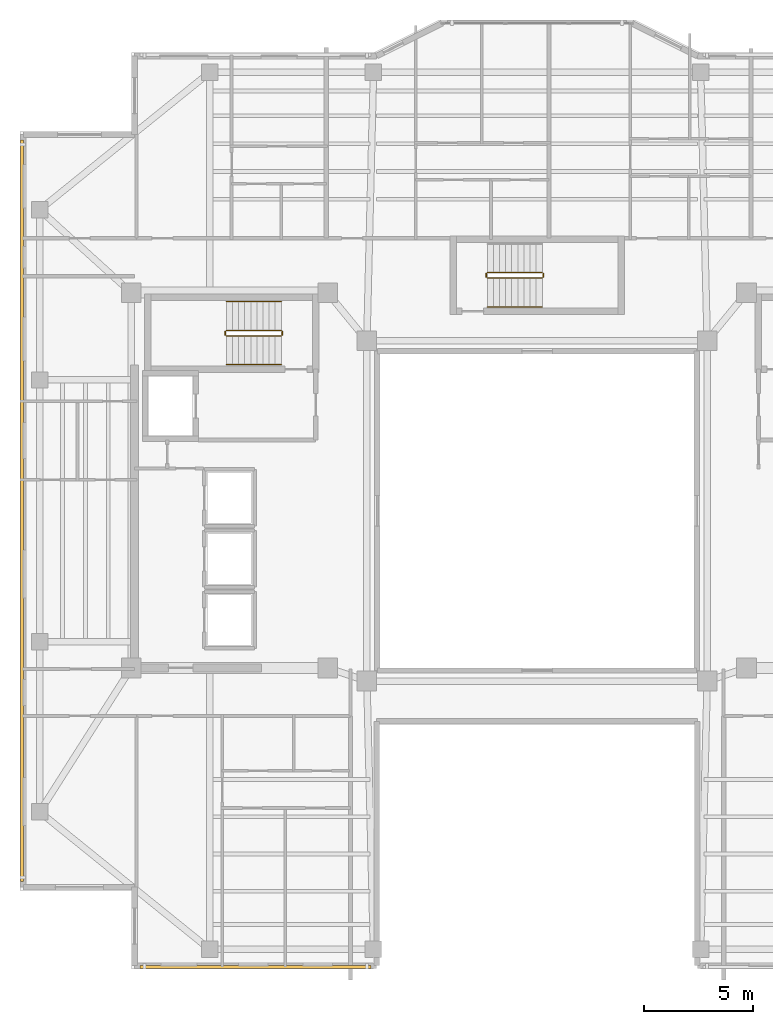
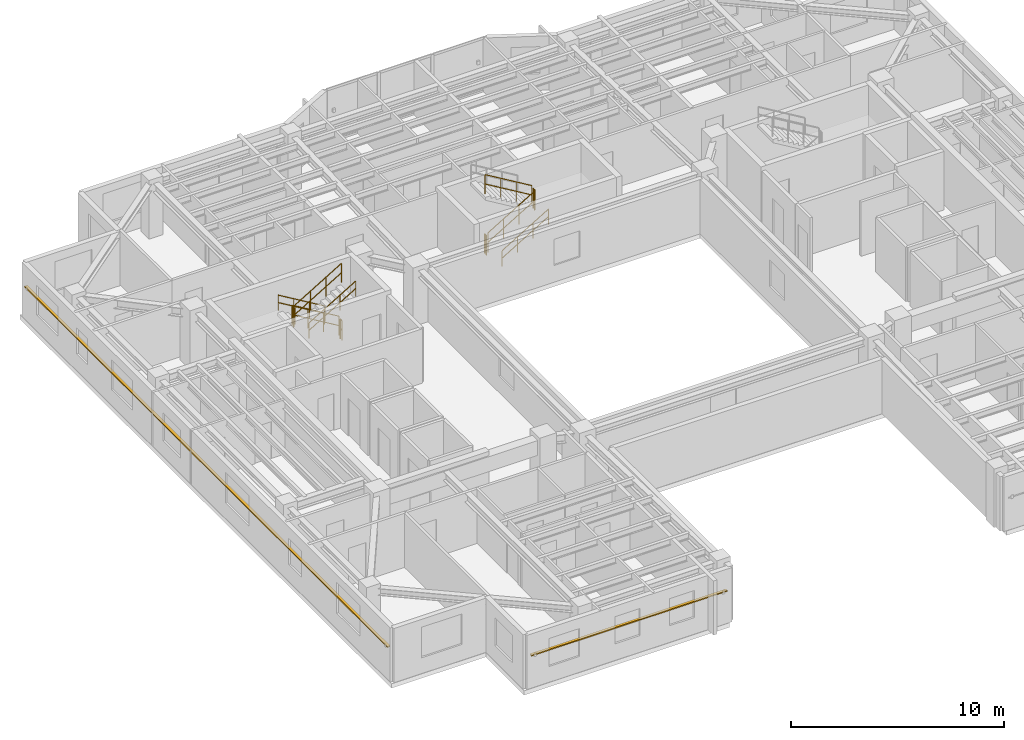
# One storey, part 10 of 12: 11 railings, 2 shading devices.
"""IFC4 building model written with IfcOpenShell, lengths in metres."""

from ifc_helpers import new_model, si_unit, direction, frame, origin, origin_2d, place, context, subcontext, project, spatial, rectangle, circle, extrude, material, material_profile, profile_set, type_object, element, save


model = new_model("IFC4")

# Units and contexts
model_context = context("Model", 3, precision=1e-05, world=origin(), true_north=direction((0.0, 1.0)))
body_context = subcontext(model_context, "Body", "Model", "MODEL_VIEW")
ifc_project = project(units=[si_unit("LENGTHUNIT", "METRE"), si_unit("AREAUNIT", "SQUARE_METRE"), si_unit("VOLUMEUNIT", "CUBIC_METRE"), si_unit("PLANEANGLEUNIT", "RADIAN"), si_unit("MASSUNIT", "GRAM", prefix="KILO")], contexts=[model_context])

# Site, building, storey
site_placement = place(None, origin())
site = spatial("IfcSite", under=ifc_project, at=site_placement, CompositionType="ELEMENT")
building_placement = place(site_placement, origin())
building = spatial("IfcBuilding", under=site, at=building_placement, Name="Tarnavaz Court Tower", CompositionType="ELEMENT")
storey_placement = place(building_placement, frame((0.0, 0.0, 220.39990234375)))
storey = spatial("IfcBuildingStorey", under=building, at=storey_placement, Name="L60", CompositionType="ELEMENT", Elevation=220.39990234375)

# Railings
ifc_material_1 = material(Name="Brushed Stainless Steel", Category="steel")
railing_type_1 = type_object("IfcRailingType", Name="RL-HANDRAIL-900", PredefinedType="HANDRAIL", material=ifc_material_1)
railing_1_placement = place(storey_placement, frame((-11.719970703125, 9.590087890625, 0.16748046875)))
element("IfcRailing", 1, at=railing_1_placement, inside=storey, type_object=railing_type_1, Name="L60 ST-W1 stair handrail 1", PredefinedType="HANDRAIL", context=body_context, shape_type="SweptSolid", body=[
    extrude(circle(Radius=0.02392578125, at=origin_2d()), frame((0.0, 0.0, 0.8759765625), z_axis=(-0.858159760407, 0.0, 0.513382728203), x_axis=(0.0, -1.0, 0.0)), (0.0, 0.0, 1.0), 2.9365234375),
    extrude(circle(Radius=0.02392578125, at=origin_2d()), frame((0.0, 0.0, 0.449951171875), z_axis=(-0.858159760407, 0.0, 0.513382728203), x_axis=(0.0, -1.0, 0.0)), (0.0, 0.0, 1.0), 2.9365234375),
    extrude(circle(Radius=0.02099609375, at=origin_2d()), origin(), (0.0, 0.0, 1.0), 0.851806640625),
    extrude(circle(Radius=0.02099609375, at=origin_2d()), frame((-0.840087890625, 0.0, 0.50244140625)), (0.0, 0.0, 1.0), 0.851806640625),
    extrude(circle(Radius=0.02099609375, at=origin_2d()), frame((-1.679931640625, 0.0, 1.005126953125)), (0.0, 0.0, 1.0), 0.851806640625),
    extrude(circle(Radius=0.02099609375, at=origin_2d()), frame((-2.52001953125, 0.0, 1.507568359375)), (0.0, 0.0, 1.0), 0.851806640625),
])
for number, where, name in (
    (2, (-14.239990234375, 6.699951171875, 1.842529296875), "L60 ST-W1 stair handrail 2"),
    (3, (-2.280029296875, 9.35009765625, 0.16748046875), "L60 ST-N1 stair handrail 1"),
):
    element("IfcRailing", number, at=place(storey_placement, frame(where)), inside=storey, type_object=railing_type_1, Name=name, PredefinedType="HANDRAIL", context=body_context, shape_type="SweptSolid", body=[
        extrude(circle(Radius=0.02392578125, at=origin_2d()), frame((0.0, 0.0, 0.8759765625), z_axis=(0.858159760407, 0.0, 0.513382728203), x_axis=(0.0, 1.0, 0.0)), (0.0, 0.0, 1.0), 2.9365234375),
        extrude(circle(Radius=0.02392578125, at=origin_2d()), frame((0.0, 0.0, 0.449951171875), z_axis=(0.858159760407, 0.0, 0.513382728203), x_axis=(0.0, 1.0, 0.0)), (0.0, 0.0, 1.0), 2.9365234375),
        extrude(circle(Radius=0.02099609375, at=origin_2d()), origin(), (0.0, 0.0, 1.0), 0.851806640625),
        extrude(circle(Radius=0.02099609375, at=origin_2d()), frame((0.840087890625, 0.0, 0.50244140625)), (0.0, 0.0, 1.0), 0.851806640625),
        extrude(circle(Radius=0.02099609375, at=origin_2d()), frame((1.679931640625, 0.0, 1.005126953125)), (0.0, 0.0, 1.0), 0.851806640625),
        extrude(circle(Radius=0.02099609375, at=origin_2d()), frame((2.52001953125, 0.0, 1.507568359375)), (0.0, 0.0, 1.0), 0.851806640625),
    ])
ifc_material_2 = material(Name="Galvanized Painted Tubular Steel", Category="steel")
railing_type_2 = type_object("IfcRailingType", Name="RL-STGUARD-1120", PredefinedType="GUARDRAIL", material=ifc_material_2)
railing_2_placement = place(storey_placement, frame((-11.719970703125, 8.27001953125, 0.16748046875)))
element("IfcRailing", 4, at=railing_2_placement, inside=storey, type_object=railing_type_2, Name="L60 ST-W1 stair guard 1", PredefinedType="GUARDRAIL", context=body_context, shape_type="SweptSolid", body=[
    extrude(circle(Radius=0.02392578125, at=origin_2d()), frame((0.0, 0.0, 1.09619140625), z_axis=(-0.858159760407, 0.0, 0.513382728203), x_axis=(0.0, -1.0, 0.0)), (0.0, 0.0, 1.0), 2.9365234375),
    extrude(circle(Radius=0.02392578125, at=origin_2d()), frame((0.0, 0.0, 0.56005859375), z_axis=(-0.858159760407, 0.0, 0.513382728203), x_axis=(0.0, -1.0, 0.0)), (0.0, 0.0, 1.0), 2.9365234375),
    extrude(circle(Radius=0.02099609375, at=origin_2d()), origin(), (0.0, 0.0, 1.0), 1.072021484375),
    extrude(circle(Radius=0.02099609375, at=origin_2d()), frame((-0.840087890625, 0.0, 0.50244140625)), (0.0, 0.0, 1.0), 1.072021484375),
    extrude(circle(Radius=0.02099609375, at=origin_2d()), frame((-1.679931640625, 0.0, 1.005126953125)), (0.0, 0.0, 1.0), 1.072021484375),
    extrude(circle(Radius=0.02099609375, at=origin_2d()), frame((-2.52001953125, 0.0, 1.507568359375)), (0.0, 0.0, 1.0), 1.072021484375),
])
railing_3_placement = place(storey_placement, frame((-14.2900390625, 8.219970703125, 1.675048828125)))
element("IfcRailing", 5, at=railing_3_placement, inside=storey, type_object=railing_type_2, Name="L60 ST-W1 stair guard 2", PredefinedType="GUARDRAIL", context=body_context, shape_type="SweptSolid", body=[
    extrude(circle(Radius=0.02392578125, at=origin_2d()), frame((0.0, 0.0, 1.09619140625), z_axis=(0.0, -1.0, 0.0), x_axis=(1.0, 0.0, 0.0)), (0.0, 0.0, 1.0), 0.14990234375),
    extrude(circle(Radius=0.02392578125, at=origin_2d()), frame((0.0, 0.0, 0.56005859375), z_axis=(0.0, -1.0, 0.0), x_axis=(1.0, 0.0, 0.0)), (0.0, 0.0, 1.0), 0.14990234375),
    extrude(circle(Radius=0.02099609375, at=origin_2d()), origin(), (0.0, 0.0, 1.0), 1.072021484375),
    extrude(circle(Radius=0.02099609375, at=origin_2d()), frame((0.0, -0.14990234375, 0.0)), (0.0, 0.0, 1.0), 1.072021484375),
])
railing_4_placement = place(storey_placement, frame((-14.239990234375, 8.02001953125, 1.842529296875)))
element("IfcRailing", 6, at=railing_4_placement, inside=storey, type_object=railing_type_2, Name="L60 ST-W1 stair guard 3", PredefinedType="GUARDRAIL", context=body_context, shape_type="SweptSolid", body=[
    extrude(circle(Radius=0.02392578125, at=origin_2d()), frame((0.0, 0.0, 1.09619140625), z_axis=(0.858159760407, 0.0, 0.513382728203), x_axis=(0.0, 1.0, 0.0)), (0.0, 0.0, 1.0), 2.9365234375),
    extrude(circle(Radius=0.02392578125, at=origin_2d()), frame((0.0, 0.0, 0.56005859375), z_axis=(0.858159760407, 0.0, 0.513382728203), x_axis=(0.0, 1.0, 0.0)), (0.0, 0.0, 1.0), 2.9365234375),
    extrude(circle(Radius=0.02099609375, at=origin_2d()), origin(), (0.0, 0.0, 1.0), 1.072021484375),
    extrude(circle(Radius=0.02099609375, at=origin_2d()), frame((0.840087890625, 0.0, 0.50244140625)), (0.0, 0.0, 1.0), 1.072021484375),
    extrude(circle(Radius=0.02099609375, at=origin_2d()), frame((1.679931640625, 0.0, 1.005126953125)), (0.0, 0.0, 1.0), 1.072021484375),
    extrude(circle(Radius=0.02099609375, at=origin_2d()), frame((2.52001953125, 0.0, 1.507568359375)), (0.0, 0.0, 1.0), 1.072021484375),
])
railing_5_placement = place(storey_placement, frame((-11.669921875, 8.219970703125, 0.0)))
element("IfcRailing", 7, at=railing_5_placement, inside=storey, type_object=railing_type_2, Name="L60 ST-W1 stair guard 4", PredefinedType="GUARDRAIL", context=body_context, shape_type="SweptSolid", body=[
    extrude(circle(Radius=0.02392578125, at=origin_2d()), frame((0.0, 0.0, 1.09619140625), z_axis=(0.0, -1.0, 0.0), x_axis=(1.0, 0.0, 0.0)), (0.0, 0.0, 1.0), 0.14990234375),
    extrude(circle(Radius=0.02392578125, at=origin_2d()), frame((0.0, 0.0, 0.56005859375), z_axis=(0.0, -1.0, 0.0), x_axis=(1.0, 0.0, 0.0)), (0.0, 0.0, 1.0), 0.14990234375),
    extrude(circle(Radius=0.02099609375, at=origin_2d()), origin(), (0.0, 0.0, 1.0), 1.072021484375),
    extrude(circle(Radius=0.02099609375, at=origin_2d()), frame((0.0, -0.14990234375, 0.0)), (0.0, 0.0, 1.0), 1.072021484375),
])
railing_6_placement = place(storey_placement, frame((-2.280029296875, 10.669921875, 0.16748046875)))
element("IfcRailing", 8, at=railing_6_placement, inside=storey, type_object=railing_type_2, Name="L60 ST-N1 stair guard 1", PredefinedType="GUARDRAIL", context=body_context, shape_type="SweptSolid", body=[
    extrude(circle(Radius=0.02392578125, at=origin_2d()), frame((0.0, 0.0, 1.09619140625), z_axis=(0.858159760407, 0.0, 0.513382728203), x_axis=(0.0, 1.0, 0.0)), (0.0, 0.0, 1.0), 2.9365234375),
    extrude(circle(Radius=0.02392578125, at=origin_2d()), frame((0.0, 0.0, 0.56005859375), z_axis=(0.858159760407, 0.0, 0.513382728203), x_axis=(0.0, 1.0, 0.0)), (0.0, 0.0, 1.0), 2.9365234375),
    extrude(circle(Radius=0.02099609375, at=origin_2d()), origin(), (0.0, 0.0, 1.0), 1.072021484375),
    extrude(circle(Radius=0.02099609375, at=origin_2d()), frame((0.840087890625, 0.0, 0.50244140625)), (0.0, 0.0, 1.0), 1.072021484375),
    extrude(circle(Radius=0.02099609375, at=origin_2d()), frame((1.679931640625, 0.0, 1.005126953125)), (0.0, 0.0, 1.0), 1.072021484375),
    extrude(circle(Radius=0.02099609375, at=origin_2d()), frame((2.52001953125, 0.0, 1.507568359375)), (0.0, 0.0, 1.0), 1.072021484375),
])
railing_7_placement = place(storey_placement, frame((0.2900390625, 10.719970703125, 1.675048828125)))
element("IfcRailing", 9, at=railing_7_placement, inside=storey, type_object=railing_type_2, Name="L60 ST-N1 stair guard 2", PredefinedType="GUARDRAIL", context=body_context, shape_type="SweptSolid", body=[
    extrude(circle(Radius=0.02392578125, at=origin_2d()), frame((0.0, 0.0, 1.09619140625), z_axis=(0.0, 1.0, 0.0), x_axis=(-1.0, 0.0, 0.0)), (0.0, 0.0, 1.0), 0.150146484375),
    extrude(circle(Radius=0.02392578125, at=origin_2d()), frame((0.0, 0.0, 0.56005859375), z_axis=(0.0, 1.0, 0.0), x_axis=(-1.0, 0.0, 0.0)), (0.0, 0.0, 1.0), 0.150146484375),
    extrude(circle(Radius=0.02099609375, at=origin_2d()), origin(), (0.0, 0.0, 1.0), 1.072021484375),
    extrude(circle(Radius=0.02099609375, at=origin_2d()), frame((0.0, 0.150146484375, 0.0)), (0.0, 0.0, 1.0), 1.072021484375),
])
railing_8_placement = place(storey_placement, frame((0.239990234375, 10.919921875, 1.842529296875)))
element("IfcRailing", 10, at=railing_8_placement, inside=storey, type_object=railing_type_2, Name="L60 ST-N1 stair guard 3", PredefinedType="GUARDRAIL", context=body_context, shape_type="SweptSolid", body=[
    extrude(circle(Radius=0.02392578125, at=origin_2d()), frame((0.0, 0.0, 1.09619140625), z_axis=(-0.858159760407, 0.0, 0.513382728203), x_axis=(0.0, -1.0, 0.0)), (0.0, 0.0, 1.0), 2.9365234375),
    extrude(circle(Radius=0.02392578125, at=origin_2d()), frame((0.0, 0.0, 0.56005859375), z_axis=(-0.858159760407, 0.0, 0.513382728203), x_axis=(0.0, -1.0, 0.0)), (0.0, 0.0, 1.0), 2.9365234375),
    extrude(circle(Radius=0.02099609375, at=origin_2d()), origin(), (0.0, 0.0, 1.0), 1.072021484375),
    extrude(circle(Radius=0.02099609375, at=origin_2d()), frame((-0.840087890625, 0.0, 0.50244140625)), (0.0, 0.0, 1.0), 1.072021484375),
    extrude(circle(Radius=0.02099609375, at=origin_2d()), frame((-1.679931640625, 0.0, 1.005126953125)), (0.0, 0.0, 1.0), 1.072021484375),
    extrude(circle(Radius=0.02099609375, at=origin_2d()), frame((-2.52001953125, 0.0, 1.507568359375)), (0.0, 0.0, 1.0), 1.072021484375),
])
railing_9_placement = place(storey_placement, frame((-2.330078125, 10.719970703125, 0.0)))
element("IfcRailing", 11, at=railing_9_placement, inside=storey, type_object=railing_type_2, Name="L60 ST-N1 stair guard 4", PredefinedType="GUARDRAIL", context=body_context, shape_type="SweptSolid", body=[
    extrude(circle(Radius=0.02392578125, at=origin_2d()), frame((0.0, 0.0, 1.09619140625), z_axis=(0.0, 1.0, 0.0), x_axis=(-1.0, 0.0, 0.0)), (0.0, 0.0, 1.0), 0.150146484375),
    extrude(circle(Radius=0.02392578125, at=origin_2d()), frame((0.0, 0.0, 0.56005859375), z_axis=(0.0, 1.0, 0.0), x_axis=(-1.0, 0.0, 0.0)), (0.0, 0.0, 1.0), 0.150146484375),
    extrude(circle(Radius=0.02099609375, at=origin_2d()), origin(), (0.0, 0.0, 1.0), 1.072021484375),
    extrude(circle(Radius=0.02099609375, at=origin_2d()), frame((0.0, 0.150146484375, 0.0)), (0.0, 0.0, 1.0), 1.072021484375),
])

# Shading devices
ifc_material_3 = material(Name="Kiln-Fired Khorasan Terracotta Ceramic", Category="masonry")
ifc_material_profile = material_profile(ifc_material_3, rectangle(XDim=0.14990234375, YDim=0.06494140625, at=origin_2d()), Name="TC BAGUETTE 150X65")
ifc_profile_set = profile_set([ifc_material_profile], Name="Kiln-Fired Khorasan Terracotta Ceramic")
shading_device_type = type_object("IfcShadingDeviceType", Name="SD-BAG-150", PredefinedType="USERDEFINED", material=ifc_profile_set)
shading_device_1_placement = place(storey_placement, frame((-23.610107421875, -17.0, 1.85009765625), z_axis=(0.0, 1.0, 0.0), x_axis=(-1.0, 0.0, 0.0)))
element("IfcShadingDevice", 12, at=shading_device_1_placement, inside=storey, type_object=shading_device_type, Name="L60 Terracotta Baguette Screen FBG02", ObjectType="BAGUETTE", PredefinedType="USERDEFINED", context=body_context, shape_type="SweptSolid", body=[
    extrude(rectangle(XDim=0.14990234375, YDim=0.06494140625, at=origin_2d()), origin(), (0.0, 0.0, 1.0), 34.0),
])
shading_device_2_placement = place(storey_placement, frame((-7.60009765625, -20.909912109375, 1.85009765625), z_axis=(-1.0, 0.0, 0.0), x_axis=(0.0, -1.0, 0.0)))
element("IfcShadingDevice", 13, at=shading_device_2_placement, inside=storey, type_object=shading_device_type, Name="L60 Terracotta Baguette Screen FBG19", ObjectType="BAGUETTE", PredefinedType="USERDEFINED", context=body_context, shape_type="SweptSolid", body=[
    extrude(rectangle(XDim=0.14990234375, YDim=0.06494140625, at=origin_2d()), origin(), (0.0, 0.0, 1.0), 10.599853515625),
])

save(model, "model.ifc")
